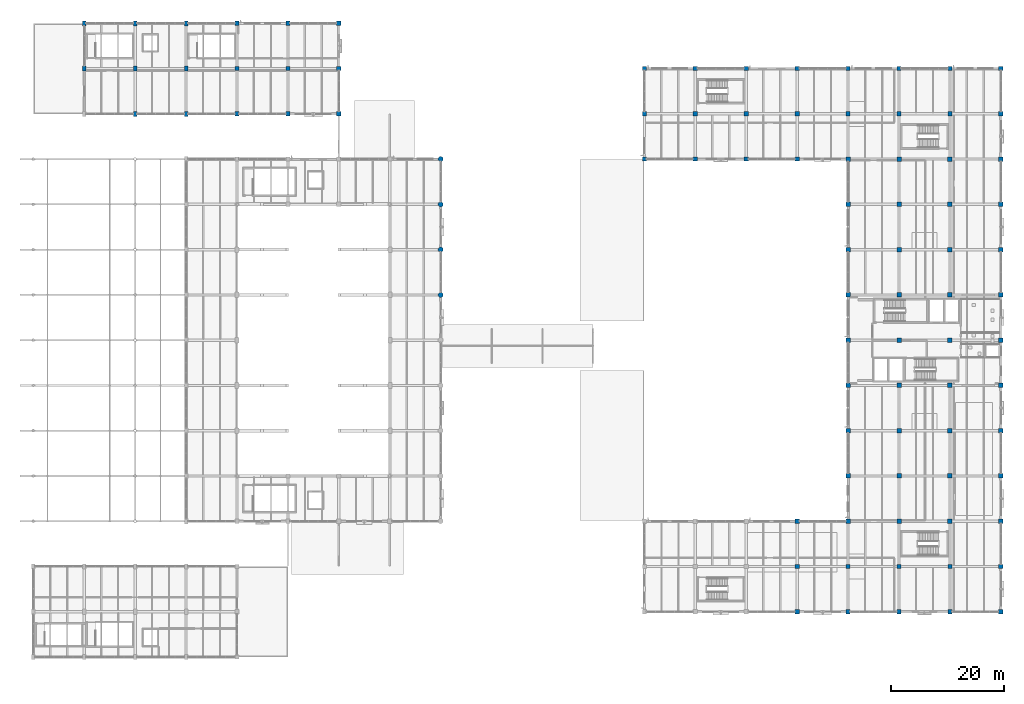
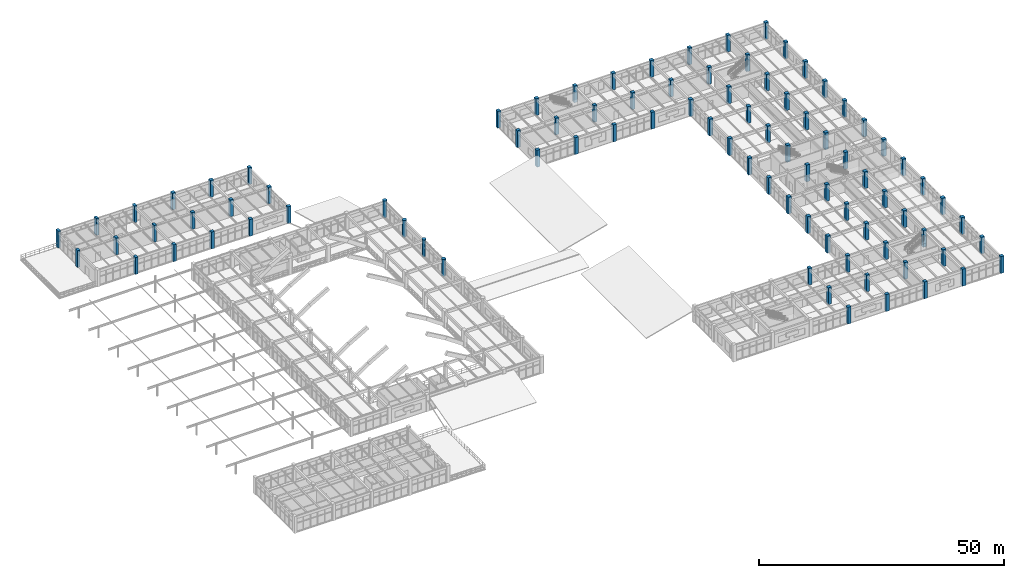
# One storey, part 8 of 148: 88 columns.
"""IFC4 building model written with IfcOpenShell, lengths in metres."""

from ifc_helpers import new_model, si_unit, derived_unit, direction, frame, origin, origin_2d, place, context, subcontext, project, spatial, rectangle, circle, extrude, material, material_profile, profile_set, type_object, element, save


model = new_model("IFC4")

# Units and contexts
model_context = context("Model", 3, precision=1e-05, world=origin(), true_north=direction((0.0, 1.0)))
body_context = subcontext(model_context, "Body", "Model", "MODEL_VIEW")
ifc_project = project(units=[si_unit("LENGTHUNIT", "METRE"), si_unit("AREAUNIT", "SQUARE_METRE"), si_unit("VOLUMEUNIT", "CUBIC_METRE"), si_unit("PLANEANGLEUNIT", "RADIAN"), si_unit("MASSUNIT", "GRAM", prefix="KILO"), derived_unit("THERMALTRANSMITTANCEUNIT", [(si_unit("MASSUNIT", "GRAM", prefix="KILO"), 1), (si_unit("TIMEUNIT", "SECOND"), -3), (si_unit("THERMODYNAMICTEMPERATUREUNIT", "KELVIN"), -1)])], contexts=[model_context])

# Site, building, storey
site_placement = place(None, origin())
site = spatial("IfcSite", under=ifc_project, at=site_placement, CompositionType="ELEMENT")
building_placement = place(site_placement, origin())
building = spatial("IfcBuilding", under=site, at=building_placement, Name="Zhenchuan Archway Interchange", CompositionType="ELEMENT")
storey_placement = place(building_placement, frame((0.0, 0.0, 10.199951171875)))
storey = spatial("IfcBuildingStorey", under=building, at=storey_placement, Name="L02", CompositionType="ELEMENT", Elevation=10.199951171875)

# Columns
ifc_material_1 = material(Name="Concrete C40", Category="concrete")
ifc_material_profile_1 = material_profile(ifc_material_1, rectangle(XDim=0.60009765625, YDim=0.89990234375, at=origin_2d()), Name="RC 600x900")
ifc_profile_set_1 = profile_set([ifc_material_profile_1], Name="Concrete C40")
column_type_1 = type_object("IfcColumnType", Name="COL_RC_600x900", PredefinedType="COLUMN", material=ifc_profile_set_1)
for number, where, z_axis, x_axis, name in (
    (1, (9.0, 104.0, 0.0), (0.0, 0.0, 1.0), (1.0, 0.0, 0.0), "Column 2/O (L02)"),
    (2, (9.0, 112.0, 0.0), (0.0, 0.0, 1.0), (1.0, 0.0, 0.0), "Column 2/P (L02)"),
    (3, (18.0, 96.0, 0.0), (0.0, 0.0, 1.0), (1.0, 0.0, 0.0), "Column 3/N (L02)"),
    (4, (18.0, 104.0, 0.0), (0.0, 0.0, 1.0), (1.0, 0.0, 0.0), "Column 3/O (L02)"),
    (5, (18.0, 112.0, 0.0), (0.0, 0.0, 1.0), (1.0, 0.0, 0.0), "Column 3/P (L02)"),
    (6, (27.0, 96.0, 0.0), (0.0, 0.0, 1.0), (1.0, 0.0, 0.0), "Column 4/N (L02)"),
    (7, (27.0, 104.0, 0.0), (0.0, 0.0, 1.0), (1.0, 0.0, 0.0), "Column 4/O (L02)"),
    (8, (27.0, 112.0, 0.0), (0.0, 0.0, 1.0), (1.0, 0.0, 0.0), "Column 4/P (L02)"),
):
    element("IfcColumn", number, at=place(storey_placement, frame(where, z_axis=z_axis, x_axis=x_axis)), inside=storey, type_object=column_type_1, Name=name, PredefinedType="COLUMN", context=body_context, shape_type="SweptSolid", body=[
        extrude(rectangle(XDim=0.60009765625, YDim=0.89990234375, at=origin_2d()), origin(), (0.0, 0.0, 1.0), 4.199951171875),
    ])
ifc_material_profile_2 = material_profile(ifc_material_1, rectangle(XDim=0.75, YDim=0.75, at=origin_2d()), Name="RC 750x750")
ifc_profile_set_2 = profile_set([ifc_material_profile_2], Name="Concrete C40")
column_type_2 = type_object("IfcColumnType", Name="COL_RC_750", PredefinedType="COLUMN", material=ifc_profile_set_2)
for number, where, z_axis, x_axis, name in (
    (9, (36.0, 96.0, 0.0), (0.0, 0.0, 1.0), (1.0, 0.0, 0.0), "Column 5/N (L02)"),
    (10, (36.0, 104.0, 0.0), (0.0, 0.0, 1.0), (1.0, 0.0, 0.0), "Column 5/O (L02)"),
    (11, (36.0, 112.0, 0.0), (0.0, 0.0, 1.0), (1.0, 0.0, 0.0), "Column 5/P (L02)"),
    (12, (45.0, 96.0, 0.0), (0.0, 0.0, 1.0), (1.0, 0.0, 0.0), "Column 6/N (L02)"),
    (13, (45.0, 104.0, 0.0), (0.0, 0.0, 1.0), (1.0, 0.0, 0.0), "Column 6/O (L02)"),
    (14, (45.0, 112.0, 0.0), (0.0, 0.0, 1.0), (1.0, 0.0, 0.0), "Column 6/P (L02)"),
    (15, (54.0, 96.0, 0.0), (0.0, 0.0, 1.0), (1.0, 0.0, 0.0), "Column 7/N (L02)"),
    (16, (54.0, 104.0, 0.0), (0.0, 0.0, 1.0), (1.0, 0.0, 0.0), "Column 7/O (L02)"),
    (17, (54.0, 112.0, 0.0), (0.0, 0.0, 1.0), (1.0, 0.0, 0.0), "Column 7/P (L02)"),
    (18, (108.0, 88.0, 0.0), (0.0, 0.0, 1.0), (1.0, 0.0, 0.0), "Column 13/M (L02)"),
    (19, (108.0, 96.0, 0.0), (0.0, 0.0, 1.0), (1.0, 0.0, 0.0), "Column 13/N (L02)"),
    (20, (108.0, 104.0, 0.0), (0.0, 0.0, 1.0), (1.0, 0.0, 0.0), "Column 13/O (L02)"),
    (21, (117.0, 88.0, 0.0), (0.0, 0.0, 1.0), (1.0, 0.0, 0.0), "Column 14/M (L02)"),
    (22, (117.0, 96.0, 0.0), (0.0, 0.0, 1.0), (1.0, 0.0, 0.0), "Column 14/N (L02)"),
    (23, (117.0, 104.0, 0.0), (0.0, 0.0, 1.0), (1.0, 0.0, 0.0), "Column 14/O (L02)"),
    (24, (126.0, 88.0, 0.0), (0.0, 0.0, 1.0), (1.0, 0.0, 0.0), "Column 15/M (L02)"),
    (25, (126.0, 96.0, 0.0), (0.0, 0.0, 1.0), (1.0, 0.0, 0.0), "Column 15/N (L02)"),
    (26, (126.0, 104.0, 0.0), (0.0, 0.0, 1.0), (1.0, 0.0, 0.0), "Column 15/O (L02)"),
    (27, (135.0, 8.0, 0.0), (0.0, 0.0, 1.0), (1.0, 0.0, 0.0), "Column 16/B (L02)"),
    (28, (135.0, 16.0, 0.0), (0.0, 0.0, 1.0), (1.0, 0.0, 0.0), "Column 16/C (L02)"),
    (29, (135.0, 24.0, 0.0), (0.0, 0.0, 1.0), (1.0, 0.0, 0.0), "Column 16/D (L02)"),
    (30, (135.0, 88.0, 0.0), (0.0, 0.0, 1.0), (1.0, 0.0, 0.0), "Column 16/M (L02)"),
    (31, (135.0, 96.0, 0.0), (0.0, 0.0, 1.0), (1.0, 0.0, 0.0), "Column 16/N (L02)"),
    (32, (135.0, 104.0, 0.0), (0.0, 0.0, 1.0), (1.0, 0.0, 0.0), "Column 16/O (L02)"),
    (33, (144.0, 8.0, 0.0), (0.0, 0.0, 1.0), (1.0, 0.0, 0.0), "Column 17/B (L02)"),
    (34, (144.0, 16.0, 0.0), (0.0, 0.0, 1.0), (1.0, 0.0, 0.0), "Column 17/C (L02)"),
    (35, (144.0, 96.0, 0.0), (0.0, 0.0, 1.0), (1.0, 0.0, 0.0), "Column 17/N (L02)"),
    (36, (144.0, 104.0, 0.0), (0.0, 0.0, 1.0), (1.0, 0.0, 0.0), "Column 17/O (L02)"),
    (37, (153.0, 8.0, 0.0), (0.0, 0.0, 1.0), (1.0, 0.0, 0.0), "Column 18/B (L02)"),
    (38, (153.0, 16.0, 0.0), (0.0, 0.0, 1.0), (1.0, 0.0, 0.0), "Column 18/C (L02)"),
    (39, (153.0, 96.0, 0.0), (0.0, 0.0, 1.0), (1.0, 0.0, 0.0), "Column 18/N (L02)"),
    (40, (153.0, 104.0, 0.0), (0.0, 0.0, 1.0), (1.0, 0.0, 0.0), "Column 18/O (L02)"),
    (41, (162.0, 8.0, 0.0), (0.0, 0.0, 1.0), (1.0, 0.0, 0.0), "Column 19/B (L02)"),
    (42, (162.0, 16.0, 0.0), (0.0, 0.0, 1.0), (1.0, 0.0, 0.0), "Column 19/C (L02)"),
    (43, (162.0, 96.0, 0.0), (0.0, 0.0, 1.0), (1.0, 0.0, 0.0), "Column 19/N (L02)"),
    (44, (162.0, 104.0, 0.0), (0.0, 0.0, 1.0), (1.0, 0.0, 0.0), "Column 19/O (L02)"),
    (45, (171.0, 8.0, 0.0), (0.0, 0.0, 1.0), (1.0, 0.0, 0.0), "Column 20/B (L02)"),
    (46, (171.0, 16.0, 0.0), (0.0, 0.0, 1.0), (1.0, 0.0, 0.0), "Column 20/C (L02)"),
    (47, (171.0, 96.0, 0.0), (0.0, 0.0, 1.0), (1.0, 0.0, 0.0), "Column 20/N (L02)"),
    (48, (171.0, 104.0, 0.0), (0.0, 0.0, 1.0), (1.0, 0.0, 0.0), "Column 20/O (L02)"),
):
    element("IfcColumn", number, at=place(storey_placement, frame(where, z_axis=z_axis, x_axis=x_axis)), inside=storey, type_object=column_type_2, Name=name, PredefinedType="COLUMN", context=body_context, shape_type="SweptSolid", body=[
        extrude(rectangle(XDim=0.75, YDim=0.75, at=origin_2d()), origin(), (0.0, 0.0, 1.0), 4.199951171875),
    ])
ifc_material_2 = material(Name="Concrete C50", Category="concrete")
ifc_material_profile_3 = material_profile(ifc_material_2, rectangle(XDim=0.800048828125, YDim=0.800048828125, at=origin_2d()), Name="RC 800x800")
ifc_profile_set_3 = profile_set([ifc_material_profile_3], Name="Concrete C50")
column_type_3 = type_object("IfcColumnType", Name="COL_RC_800_T", PredefinedType="COLUMN", material=ifc_profile_set_3)
for number, where, z_axis, x_axis, name in (
    (49, (144.0, 24.0, 0.0), (0.0, 0.0, 1.0), (1.0, 0.0, 0.0), "Column 17/D (L02)"),
    (50, (144.0, 32.0, 0.0), (0.0, 0.0, 1.0), (1.0, 0.0, 0.0), "Column 17/E (L02)"),
    (51, (144.0, 40.0, 0.0), (0.0, 0.0, 1.0), (1.0, 0.0, 0.0), "Column 17/F (L02)"),
    (52, (144.0, 48.0, 0.0), (0.0, 0.0, 1.0), (1.0, 0.0, 0.0), "Column 17/G (L02)"),
    (53, (144.0, 56.0, 0.0), (0.0, 0.0, 1.0), (1.0, 0.0, 0.0), "Column 17/H (L02)"),
    (54, (144.0, 64.0, 0.0), (0.0, 0.0, 1.0), (1.0, 0.0, 0.0), "Column 17/J (L02)"),
    (55, (144.0, 72.0, 0.0), (0.0, 0.0, 1.0), (1.0, 0.0, 0.0), "Column 17/K (L02)"),
    (56, (144.0, 80.0, 0.0), (0.0, 0.0, 1.0), (1.0, 0.0, 0.0), "Column 17/L (L02)"),
    (57, (144.0, 88.0, 0.0), (0.0, 0.0, 1.0), (1.0, 0.0, 0.0), "Column 17/M (L02)"),
    (58, (153.0, 24.0, 0.0), (0.0, 0.0, 1.0), (1.0, 0.0, 0.0), "Column 18/D (L02)"),
    (59, (153.0, 32.0, 0.0), (0.0, 0.0, 1.0), (1.0, 0.0, 0.0), "Column 18/E (L02)"),
    (60, (153.0, 40.0, 0.0), (0.0, 0.0, 1.0), (1.0, 0.0, 0.0), "Column 18/F (L02)"),
    (61, (153.0, 48.0, 0.0), (0.0, 0.0, 1.0), (1.0, 0.0, 0.0), "Column 18/G (L02)"),
    (62, (153.0, 56.0, 0.0), (0.0, 0.0, 1.0), (1.0, 0.0, 0.0), "Column 18/H (L02)"),
    (63, (153.0, 64.0, 0.0), (0.0, 0.0, 1.0), (1.0, 0.0, 0.0), "Column 18/J (L02)"),
    (64, (153.0, 72.0, 0.0), (0.0, 0.0, 1.0), (1.0, 0.0, 0.0), "Column 18/K (L02)"),
    (65, (153.0, 80.0, 0.0), (0.0, 0.0, 1.0), (1.0, 0.0, 0.0), "Column 18/L (L02)"),
    (66, (153.0, 88.0, 0.0), (0.0, 0.0, 1.0), (1.0, 0.0, 0.0), "Column 18/M (L02)"),
    (67, (162.0, 24.0, 0.0), (0.0, 0.0, 1.0), (1.0, 0.0, 0.0), "Column 19/D (L02)"),
    (68, (162.0, 32.0, 0.0), (0.0, 0.0, 1.0), (1.0, 0.0, 0.0), "Column 19/E (L02)"),
    (69, (162.0, 40.0, 0.0), (0.0, 0.0, 1.0), (1.0, 0.0, 0.0), "Column 19/F (L02)"),
    (70, (162.0, 48.0, 0.0), (0.0, 0.0, 1.0), (1.0, 0.0, 0.0), "Column 19/G (L02)"),
    (71, (162.0, 56.0, 0.0), (0.0, 0.0, 1.0), (1.0, 0.0, 0.0), "Column 19/H (L02)"),
    (72, (162.0, 64.0, 0.0), (0.0, 0.0, 1.0), (1.0, 0.0, 0.0), "Column 19/J (L02)"),
    (73, (162.0, 72.0, 0.0), (0.0, 0.0, 1.0), (1.0, 0.0, 0.0), "Column 19/K (L02)"),
    (74, (162.0, 80.0, 0.0), (0.0, 0.0, 1.0), (1.0, 0.0, 0.0), "Column 19/L (L02)"),
    (75, (162.0, 88.0, 0.0), (0.0, 0.0, 1.0), (1.0, 0.0, 0.0), "Column 19/M (L02)"),
    (76, (171.0, 24.0, 0.0), (0.0, 0.0, 1.0), (1.0, 0.0, 0.0), "Column 20/D (L02)"),
    (77, (171.0, 32.0, 0.0), (0.0, 0.0, 1.0), (1.0, 0.0, 0.0), "Column 20/E (L02)"),
    (78, (171.0, 40.0, 0.0), (0.0, 0.0, 1.0), (1.0, 0.0, 0.0), "Column 20/F (L02)"),
    (79, (171.0, 48.0, 0.0), (0.0, 0.0, 1.0), (1.0, 0.0, 0.0), "Column 20/G (L02)"),
    (80, (171.0, 56.0, 0.0), (0.0, 0.0, 1.0), (1.0, 0.0, 0.0), "Column 20/H (L02)"),
    (81, (171.0, 64.0, 0.0), (0.0, 0.0, 1.0), (1.0, 0.0, 0.0), "Column 20/J (L02)"),
    (82, (171.0, 72.0, 0.0), (0.0, 0.0, 1.0), (1.0, 0.0, 0.0), "Column 20/K (L02)"),
    (83, (171.0, 80.0, 0.0), (0.0, 0.0, 1.0), (1.0, 0.0, 0.0), "Column 20/L (L02)"),
    (84, (171.0, 88.0, 0.0), (0.0, 0.0, 1.0), (1.0, 0.0, 0.0), "Column 20/M (L02)"),
):
    element("IfcColumn", number, at=place(storey_placement, frame(where, z_axis=z_axis, x_axis=x_axis)), inside=storey, type_object=column_type_3, Name=name, PredefinedType="COLUMN", context=body_context, shape_type="SweptSolid", body=[
        extrude(rectangle(XDim=0.800048828125, YDim=0.800048828125, at=origin_2d()), origin(), (0.0, 0.0, 1.0), 4.199951171875),
    ])
ifc_material_profile_4 = material_profile(ifc_material_1, circle(Radius=0.449951171875, at=origin_2d()), Name="RC D900")
ifc_profile_set_4 = profile_set([ifc_material_profile_4], Name="Concrete C40")
column_type_4 = type_object("IfcColumnType", Name="COL_RC_D900", PredefinedType="COLUMN", material=ifc_profile_set_4)
for number, where, z_axis, x_axis, name in (
    (85, (72.0, 64.0, 0.0), (0.0, 0.0, 1.0), (1.0, 0.0, 0.0), "Column 9/J (L02)"),
    (86, (72.0, 72.0, 0.0), (0.0, 0.0, 1.0), (1.0, 0.0, 0.0), "Column 9/K (L02)"),
    (87, (72.0, 80.0, 0.0), (0.0, 0.0, 1.0), (1.0, 0.0, 0.0), "Column 9/L (L02)"),
    (88, (72.0, 88.0, 0.0), (0.0, 0.0, 1.0), (1.0, 0.0, 0.0), "Column 9/M (L02)"),
):
    element("IfcColumn", number, at=place(storey_placement, frame(where, z_axis=z_axis, x_axis=x_axis)), inside=storey, type_object=column_type_4, Name=name, PredefinedType="COLUMN", context=body_context, shape_type="SweptSolid", body=[
        extrude(circle(Radius=0.449951171875, at=origin_2d()), origin(), (0.0, 0.0, 1.0), 4.199951171875),
    ])

save(model, "model.ifc")
